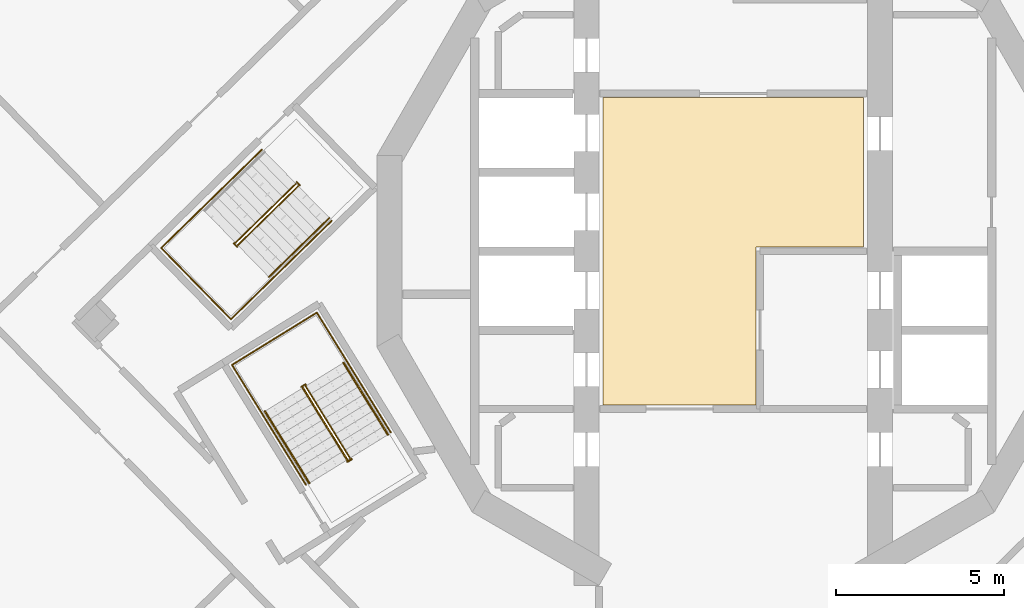
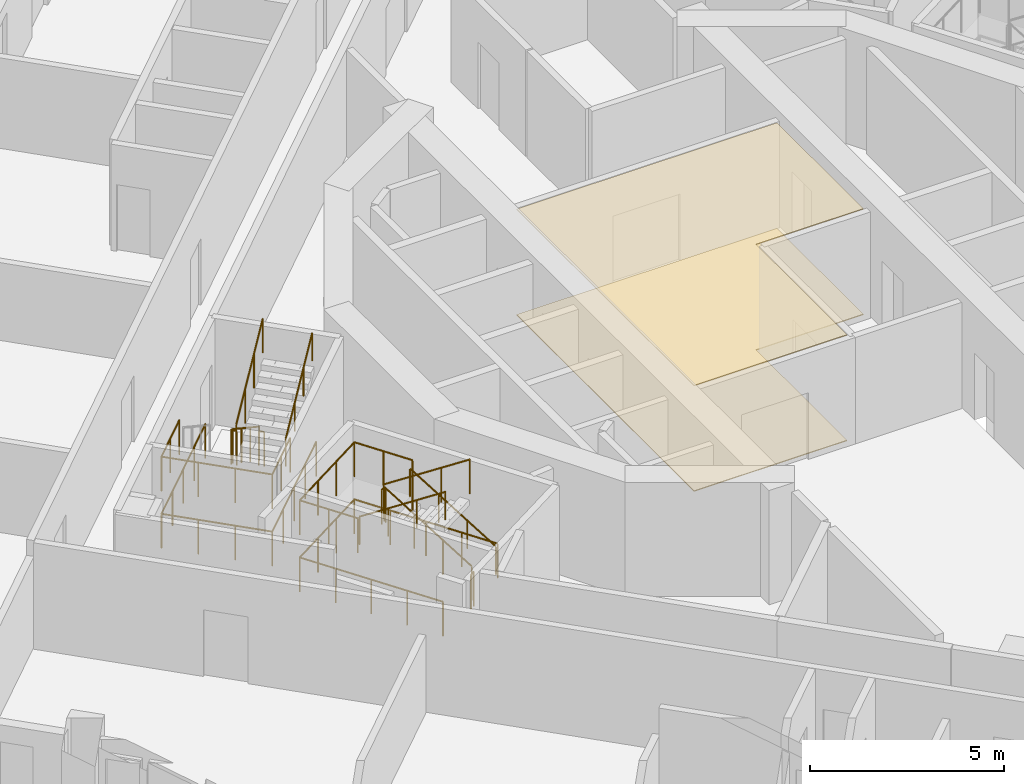
# One storey, part 12 of 17: 13 railings, 2 coverings.
"""IFC4 building model written with IfcOpenShell, lengths in metres."""

from ifc_helpers import new_model, si_unit, direction, frame, origin, origin_2d, place, context, subcontext, project, spatial, polyline, circle, outline, extrude, material, layer, layer_set, type_object, element, save


model = new_model("IFC4")

# Units and contexts
model_context = context("Model", 3, precision=1e-05, world=origin(), true_north=direction((0.0, 1.0)))
body_context = subcontext(model_context, "Body", "Model", "MODEL_VIEW")
ifc_project = project(units=[si_unit("LENGTHUNIT", "METRE"), si_unit("AREAUNIT", "SQUARE_METRE"), si_unit("VOLUMEUNIT", "CUBIC_METRE"), si_unit("PLANEANGLEUNIT", "RADIAN"), si_unit("MASSUNIT", "GRAM", prefix="KILO")], contexts=[model_context])

# Site, building, storey
site_placement = place(None, origin())
site = spatial("IfcSite", under=ifc_project, at=site_placement, CompositionType="ELEMENT")
building_placement = place(site_placement, origin())
building = spatial("IfcBuilding", under=site, at=building_placement, Name="Cantera Rosa Tower", CompositionType="ELEMENT")
storey_placement = place(building_placement, frame((0.0, 0.0, 205.39990234375)))
storey = spatial("IfcBuildingStorey", under=building, at=storey_placement, Name="L43", CompositionType="ELEMENT", Elevation=205.39990234375)

# Railings
ifc_material_1 = material(Name="Steel S355J2 (EN 10025-2)", Category="steel")
railing_type_1 = type_object("IfcRailingType", Name="STAIR GUARD 1100", PredefinedType="GUARDRAIL", material=ifc_material_1)
railing_1_placement = place(storey_placement, frame((-13.032958984375, 2.013427734375, 0.18017578125)))
element("IfcRailing", 1, at=railing_1_placement, inside=storey, type_object=railing_type_1, Name="L43 ST-43 stair guard 1", PredefinedType="GUARDRAIL", context=body_context, shape_type="SweptSolid", body=[
    extrude(circle(Radius=0.02392578125, at=origin_2d()), frame((0.0, 0.0, 1.076171875), z_axis=(-0.60169873645, -0.587844099419, 0.540738333515), x_axis=(0.698823692472, -0.715293958342, 0.0)), (0.0, 0.0, 1.0), 2.99560546875),
    extrude(circle(Radius=0.02392578125, at=origin_2d()), frame((-1.802490234375, -1.760986328125, 2.69580078125), z_axis=(-0.956987977523, -0.290127576896, 0.0), x_axis=(0.290127576896, -0.956987977523, 0.0)), (0.0, 0.0, 1.0), 0.056396484375),
    extrude(circle(Radius=0.02392578125, at=origin_2d()), frame((-1.8564453125, -1.77734375, 2.69580078125), z_axis=(0.698932947801, -0.715187202401, 0.0), x_axis=(0.715187202401, 0.698932947801, 0.0)), (0.0, 0.0, 1.0), 0.150146484375),
    extrude(circle(Radius=0.02099609375, at=origin_2d()), origin(), (0.0, 0.0, 1.0), 1.052001953125),
    extrude(circle(Radius=0.02099609375, at=origin_2d()), frame((-0.600830078125, -0.5869140625, 0.5400390625)), (0.0, 0.0, 1.0), 1.052001953125),
    extrude(circle(Radius=0.02099609375, at=origin_2d()), frame((-1.20166015625, -1.174072265625, 1.079833984375)), (0.0, 0.0, 1.0), 1.052001953125),
    extrude(circle(Radius=0.02099609375, at=origin_2d()), frame((-1.802490234375, -1.760986328125, 1.619873046875)), (0.0, 0.0, 1.0), 1.052001953125),
    extrude(circle(Radius=0.02099609375, at=origin_2d()), frame((-1.8564453125, -1.77734375, 1.619873046875)), (0.0, 0.0, 1.0), 1.052001953125),
    extrude(circle(Radius=0.02099609375, at=origin_2d()), frame((-1.75146484375, -1.884765625, 1.619873046875)), (0.0, 0.0, 1.0), 1.052001953125),
])
railing_2_placement = place(storey_placement, frame((-14.766845703125, 0.182373046875, 1.97998046875)))
element("IfcRailing", 2, at=railing_2_placement, inside=storey, type_object=railing_type_1, Name="L43 ST-43 stair guard 2", PredefinedType="GUARDRAIL", context=body_context, shape_type="SweptSolid", body=[
    extrude(circle(Radius=0.02392578125, at=origin_2d()), frame((0.0, 0.0, 1.076171875), z_axis=(0.601672219931, 0.587818193466, 0.54079599776), x_axis=(-0.698823692472, 0.715293958342, 0.0)), (0.0, 0.0, 1.0), 2.995849609375),
    extrude(circle(Radius=0.02099609375, at=origin_2d()), origin(), (0.0, 0.0, 1.0), 1.052001953125),
    extrude(circle(Radius=0.02099609375, at=origin_2d()), frame((0.600830078125, 0.5869140625, 0.5400390625)), (0.0, 0.0, 1.0), 1.052001953125),
    extrude(circle(Radius=0.02099609375, at=origin_2d()), frame((1.20166015625, 1.174072265625, 1.080078125)), (0.0, 0.0, 1.0), 1.052001953125),
    extrude(circle(Radius=0.02099609375, at=origin_2d()), frame((1.802490234375, 1.760986328125, 1.6201171875)), (0.0, 0.0, 1.0), 1.052001953125),
])
railing_3_placement = place(storey_placement, frame((-13.01513671875, 2.06689453125, 0.0)))
element("IfcRailing", 3, at=railing_3_placement, inside=storey, type_object=railing_type_1, Name="L43 ST-43 stair guard 3", PredefinedType="GUARDRAIL", context=body_context, shape_type="SweptSolid", body=[
    extrude(circle(Radius=0.02392578125, at=origin_2d()), frame((0.0, 0.0, 1.076171875), z_axis=(0.698914008722, -0.715205710557, 0.0), x_axis=(0.715205710557, 0.698914008722, 0.0)), (0.0, 0.0, 1.0), 0.14990234375),
    extrude(circle(Radius=0.02099609375, at=origin_2d()), origin(), (0.0, 0.0, 1.0), 1.052001953125),
    extrude(circle(Radius=0.02099609375, at=origin_2d()), frame((0.104736328125, -0.107177734375, 0.0)), (0.0, 0.0, 1.0), 1.052001953125),
])
railing_4_placement = place(storey_placement, frame((-14.044921875, 3.0322265625, 0.0)))
element("IfcRailing", 4, at=railing_4_placement, inside=storey, type_object=railing_type_1, Name="L43 ST-43 stair guard 4", PredefinedType="GUARDRAIL", context=body_context, shape_type="SweptSolid", body=[
    extrude(circle(Radius=0.02392578125, at=origin_2d()), frame((0.0, 0.0, 1.076171875), z_axis=(-0.715259213566, -0.698859254364, 0.0), x_axis=(0.698859254364, -0.715259213566, 0.0)), (0.0, 0.0, 1.0), 4.197998046875),
    extrude(circle(Radius=0.02392578125, at=origin_2d()), frame((-3.002685546875, -2.933837890625, 1.076171875), z_axis=(0.698838333505, -0.715279654138, 0.0), x_axis=(0.715279654138, 0.698838333505, 0.0)), (0.0, 0.0, 1.0), 2.9697265625),
    extrude(circle(Radius=0.02392578125, at=origin_2d()), frame((-0.92724609375, -5.05810546875, 1.076171875), z_axis=(0.715288284249, 0.698829500247, 0.0), x_axis=(-0.698829500247, 0.715288284249, 0.0)), (0.0, 0.0, 1.0), 4.19775390625),
    extrude(circle(Radius=0.02099609375, at=origin_2d()), origin(), (0.0, 0.0, 1.0), 1.052001953125),
    extrude(circle(Radius=0.02099609375, at=origin_2d()), frame((-0.750732421875, -0.7333984375, 0.0)), (0.0, 0.0, 1.0), 1.052001953125),
    extrude(circle(Radius=0.02099609375, at=origin_2d()), frame((-1.50146484375, -1.466796875, 0.0)), (0.0, 0.0, 1.0), 1.052001953125),
    extrude(circle(Radius=0.02099609375, at=origin_2d()), frame((-2.251953125, -2.200439453125, 0.0)), (0.0, 0.0, 1.0), 1.052001953125),
    extrude(circle(Radius=0.02099609375, at=origin_2d()), frame((-3.002685546875, -2.933837890625, 0.0)), (0.0, 0.0, 1.0), 1.052001953125),
    extrude(circle(Radius=0.02099609375, at=origin_2d()), frame((-2.310791015625, -3.641845703125, 0.0)), (0.0, 0.0, 1.0), 1.052001953125),
    extrude(circle(Radius=0.02099609375, at=origin_2d()), frame((-1.619140625, -4.35009765625, 0.0)), (0.0, 0.0, 1.0), 1.052001953125),
    extrude(circle(Radius=0.02099609375, at=origin_2d()), frame((-0.92724609375, -5.05810546875, 0.0)), (0.0, 0.0, 1.0), 1.052001953125),
    extrude(circle(Radius=0.02099609375, at=origin_2d()), frame((-0.176513671875, -4.32470703125, 0.0)), (0.0, 0.0, 1.0), 1.052001953125),
    extrude(circle(Radius=0.02099609375, at=origin_2d()), frame((0.57421875, -3.59130859375, 0.0)), (0.0, 0.0, 1.0), 1.052001953125),
    extrude(circle(Radius=0.02099609375, at=origin_2d()), frame((1.32470703125, -2.85791015625, 0.0)), (0.0, 0.0, 1.0), 1.052001953125),
    extrude(circle(Radius=0.02099609375, at=origin_2d()), frame((2.075439453125, -2.12451171875, 0.0)), (0.0, 0.0, 1.0), 1.052001953125),
])
railing_5_placement = place(storey_placement, frame((-15.830322265625, 1.287841796875, 1.800048828125)))
element("IfcRailing", 5, at=railing_5_placement, inside=storey, type_object=railing_type_1, Name="L43 ST-43 stair guard 5", PredefinedType="GUARDRAIL", context=body_context, shape_type="SweptSolid", body=[
    extrude(circle(Radius=0.02392578125, at=origin_2d()), frame((0.0, 0.0, 1.076171875), z_axis=(-0.715236090757, -0.698882919007, 0.0), x_axis=(0.698882919007, -0.715236090757, 0.0)), (0.0, 0.0, 1.0), 1.701904296875),
    extrude(circle(Radius=0.02392578125, at=origin_2d()), frame((-1.21728515625, -1.189453125, 1.076171875), z_axis=(0.698838333505, -0.715279654138, 0.0), x_axis=(0.715279654138, 0.698838333505, 0.0)), (0.0, 0.0, 1.0), 2.9697265625),
    extrude(circle(Radius=0.02392578125, at=origin_2d()), frame((0.858154296875, -3.313720703125, 1.076171875), z_axis=(0.715236090757, 0.698882919007, 0.0), x_axis=(-0.698882919007, 0.715236090757, 0.0)), (0.0, 0.0, 1.0), 1.701904296875),
    extrude(circle(Radius=0.02099609375, at=origin_2d()), origin(), (0.0, 0.0, 1.0), 1.052001953125),
    extrude(circle(Radius=0.02099609375, at=origin_2d()), frame((-0.608642578125, -0.5947265625, 0.0)), (0.0, 0.0, 1.0), 1.052001953125),
    extrude(circle(Radius=0.02099609375, at=origin_2d()), frame((-1.21728515625, -1.189453125, 0.0)), (0.0, 0.0, 1.0), 1.052001953125),
    extrude(circle(Radius=0.02099609375, at=origin_2d()), frame((-0.525390625, -1.8974609375, 0.0)), (0.0, 0.0, 1.0), 1.052001953125),
    extrude(circle(Radius=0.02099609375, at=origin_2d()), frame((0.166259765625, -2.605712890625, 0.0)), (0.0, 0.0, 1.0), 1.052001953125),
    extrude(circle(Radius=0.02099609375, at=origin_2d()), frame((0.858154296875, -3.313720703125, 0.0)), (0.0, 0.0, 1.0), 1.052001953125),
    extrude(circle(Radius=0.02099609375, at=origin_2d()), frame((1.466796875, -2.718994140625, 0.0)), (0.0, 0.0, 1.0), 1.052001953125),
    extrude(circle(Radius=0.02099609375, at=origin_2d()), frame((2.075439453125, -2.124267578125, 0.0)), (0.0, 0.0, 1.0), 1.052001953125),
])
railing_6_placement = place(storey_placement, frame((-11.42333984375, -6.165771484375, 0.18017578125)))
element("IfcRailing", 6, at=railing_6_placement, inside=storey, type_object=railing_type_1, Name="L43 ST-44 stair guard 1", PredefinedType="GUARDRAIL", context=body_context, shape_type="SweptSolid", body=[
    extrude(circle(Radius=0.02392578125, at=origin_2d()), frame((0.0, 0.0, 1.076171875), z_axis=(-0.441628529057, 0.715945124149, 0.540728047664), x_axis=(-0.851102330005, -0.524999832248, 0.0)), (0.0, 0.0, 1.0), 2.99560546875),
    extrude(circle(Radius=0.02392578125, at=origin_2d()), frame((-1.322998046875, 2.144775390625, 2.69580078125), z_axis=(-0.073711968402, 0.997279572494, 0.0), x_axis=(-0.997279572494, -0.073711968402, 0.0)), (0.0, 0.0, 1.0), 0.056396484375),
    extrude(circle(Radius=0.02392578125, at=origin_2d()), frame((-1.3271484375, 2.200927734375, 2.69580078125), z_axis=(-0.851546489876, -0.524279100842, 0.0), x_axis=(0.524279100842, -0.851546489876, 0.0)), (0.0, 0.0, 1.0), 0.14990234375),
    extrude(circle(Radius=0.02099609375, at=origin_2d()), origin(), (0.0, 0.0, 1.0), 1.052001953125),
    extrude(circle(Radius=0.02099609375, at=origin_2d()), frame((-0.44091796875, 0.71484375, 0.5400390625)), (0.0, 0.0, 1.0), 1.052001953125),
    extrude(circle(Radius=0.02099609375, at=origin_2d()), frame((-0.882080078125, 1.429931640625, 1.079833984375)), (0.0, 0.0, 1.0), 1.052001953125),
    extrude(circle(Radius=0.02099609375, at=origin_2d()), frame((-1.322998046875, 2.144775390625, 1.619873046875)), (0.0, 0.0, 1.0), 1.052001953125),
    extrude(circle(Radius=0.02099609375, at=origin_2d()), frame((-1.3271484375, 2.200927734375, 1.619873046875)), (0.0, 0.0, 1.0), 1.052001953125),
    extrude(circle(Radius=0.02099609375, at=origin_2d()), frame((-1.454833984375, 2.122314453125, 1.619873046875)), (0.0, 0.0, 1.0), 1.052001953125),
])
railing_7_placement = place(storey_placement, frame((-12.82958984375, -4.072509765625, 1.97998046875)))
element("IfcRailing", 7, at=railing_7_placement, inside=storey, type_object=railing_type_1, Name="L43 ST-44 stair guard 2", PredefinedType="GUARDRAIL", context=body_context, shape_type="SweptSolid", body=[
    extrude(circle(Radius=0.02392578125, at=origin_2d()), frame((0.0, 0.0, 1.076171875), z_axis=(0.44154346381, -0.715939337315, 0.540805172729), x_axis=(0.851145618652, 0.524929648476, 0.0)), (0.0, 0.0, 1.0), 2.995849609375),
    extrude(circle(Radius=0.02099609375, at=origin_2d()), origin(), (0.0, 0.0, 1.0), 1.052001953125),
    extrude(circle(Radius=0.02099609375, at=origin_2d()), frame((0.44091796875, -0.71484375, 0.5400390625)), (0.0, 0.0, 1.0), 1.052001953125),
    extrude(circle(Radius=0.02099609375, at=origin_2d()), frame((0.8818359375, -1.429931640625, 1.080078125)), (0.0, 0.0, 1.0), 1.052001953125),
    extrude(circle(Radius=0.02099609375, at=origin_2d()), frame((1.32275390625, -2.144775390625, 1.6201171875)), (0.0, 0.0, 1.0), 1.052001953125),
])
railing_8_placement = place(storey_placement, frame((-11.375, -6.19482421875, 0.0)))
element("IfcRailing", 8, at=railing_8_placement, inside=storey, type_object=railing_type_1, Name="L43 ST-44 stair guard 3", PredefinedType="GUARDRAIL", context=body_context, shape_type="SweptSolid", body=[
    extrude(circle(Radius=0.02392578125, at=origin_2d()), frame((0.0, 0.0, 1.076171875), z_axis=(-0.851546489876, -0.524279100842, 0.0), x_axis=(0.524279100842, -0.851546489876, 0.0)), (0.0, 0.0, 1.0), 0.14990234375),
    extrude(circle(Radius=0.02099609375, at=origin_2d()), origin(), (0.0, 0.0, 1.0), 1.052001953125),
    extrude(circle(Radius=0.02099609375, at=origin_2d()), frame((-0.127685546875, -0.07861328125, 0.0)), (0.0, 0.0, 1.0), 1.052001953125),
])
railing_9_placement = place(storey_placement, frame((-10.20751953125, -5.40185546875, 0.0)))
element("IfcRailing", 9, at=railing_9_placement, inside=storey, type_object=railing_type_1, Name="L43 ST-44 stair guard 4", PredefinedType="GUARDRAIL", context=body_context, shape_type="SweptSolid", body=[
    extrude(circle(Radius=0.02392578125, at=origin_2d()), frame((0.0, 0.0, 1.076171875), z_axis=(-0.524976478809, 0.851116735059, 0.0), x_axis=(-0.851116735059, -0.524976478809, 0.0)), (0.0, 0.0, 1.0), 4.197998046875),
    extrude(circle(Radius=0.02392578125, at=origin_2d()), frame((-2.203857421875, 3.572998046875, 1.076171875), z_axis=(-0.851132917336, -0.524950242429, 0.0), x_axis=(0.524950242429, -0.851132917336, 0.0)), (0.0, 0.0, 1.0), 2.969970703125),
    extrude(circle(Radius=0.02392578125, at=origin_2d()), frame((-4.731689453125, 2.013916015625, 1.076171875), z_axis=(0.524976478809, -0.851116735059, 0.0), x_axis=(0.851116735059, 0.524976478809, 0.0)), (0.0, 0.0, 1.0), 4.197998046875),
    extrude(circle(Radius=0.02099609375, at=origin_2d()), origin(), (0.0, 0.0, 1.0), 1.052001953125),
    extrude(circle(Radius=0.02099609375, at=origin_2d()), frame((-0.551025390625, 0.893310546875, 0.0)), (0.0, 0.0, 1.0), 1.052001953125),
    extrude(circle(Radius=0.02099609375, at=origin_2d()), frame((-1.10205078125, 1.78662109375, 0.0)), (0.0, 0.0, 1.0), 1.052001953125),
    extrude(circle(Radius=0.02099609375, at=origin_2d()), frame((-1.65283203125, 2.6796875, 0.0)), (0.0, 0.0, 1.0), 1.052001953125),
    extrude(circle(Radius=0.02099609375, at=origin_2d()), frame((-2.203857421875, 3.572998046875, 0.0)), (0.0, 0.0, 1.0), 1.052001953125),
    extrude(circle(Radius=0.02099609375, at=origin_2d()), frame((-3.04638671875, 3.05322265625, 0.0)), (0.0, 0.0, 1.0), 1.052001953125),
    extrude(circle(Radius=0.02099609375, at=origin_2d()), frame((-3.88916015625, 2.53369140625, 0.0)), (0.0, 0.0, 1.0), 1.052001953125),
    extrude(circle(Radius=0.02099609375, at=origin_2d()), frame((-4.731689453125, 2.013916015625, 0.0)), (0.0, 0.0, 1.0), 1.052001953125),
    extrude(circle(Radius=0.02099609375, at=origin_2d()), frame((-4.1806640625, 1.12060546875, 0.0)), (0.0, 0.0, 1.0), 1.052001953125),
    extrude(circle(Radius=0.02099609375, at=origin_2d()), frame((-3.6298828125, 0.2275390625, 0.0)), (0.0, 0.0, 1.0), 1.052001953125),
    extrude(circle(Radius=0.02099609375, at=origin_2d()), frame((-3.078857421875, -0.665771484375, 0.0)), (0.0, 0.0, 1.0), 1.052001953125),
    extrude(circle(Radius=0.02099609375, at=origin_2d()), frame((-2.52783203125, -1.55908203125, 0.0)), (0.0, 0.0, 1.0), 1.052001953125),
])
railing_10_placement = place(storey_placement, frame((-11.517822265625, -3.27734375, 1.800048828125)))
element("IfcRailing", 10, at=railing_10_placement, inside=storey, type_object=railing_type_1, Name="L43 ST-44 stair guard 5", PredefinedType="GUARDRAIL", context=body_context, shape_type="SweptSolid", body=[
    extrude(circle(Radius=0.02392578125, at=origin_2d()), frame((0.0, 0.0, 1.076171875), z_axis=(-0.525025534833, 0.851086474909, 0.0), x_axis=(-0.851086474909, -0.525025534833, 0.0)), (0.0, 0.0, 1.0), 1.701904296875),
    extrude(circle(Radius=0.02392578125, at=origin_2d()), frame((-0.8935546875, 1.448486328125, 1.076171875), z_axis=(-0.851132917336, -0.524950242429, 0.0), x_axis=(0.524950242429, -0.851132917336, 0.0)), (0.0, 0.0, 1.0), 2.969970703125),
    extrude(circle(Radius=0.02392578125, at=origin_2d()), frame((-3.42138671875, -0.110595703125, 1.076171875), z_axis=(0.524961441845, -0.851126009811, 0.0), x_axis=(0.851126009811, 0.524961441845, 0.0)), (0.0, 0.0, 1.0), 1.7021484375),
    extrude(circle(Radius=0.02099609375, at=origin_2d()), origin(), (0.0, 0.0, 1.0), 1.052001953125),
    extrude(circle(Radius=0.02099609375, at=origin_2d()), frame((-0.44677734375, 0.72412109375, 0.0)), (0.0, 0.0, 1.0), 1.052001953125),
    extrude(circle(Radius=0.02099609375, at=origin_2d()), frame((-0.8935546875, 1.448486328125, 0.0)), (0.0, 0.0, 1.0), 1.052001953125),
    extrude(circle(Radius=0.02099609375, at=origin_2d()), frame((-1.736083984375, 0.9287109375, 0.0)), (0.0, 0.0, 1.0), 1.052001953125),
    extrude(circle(Radius=0.02099609375, at=origin_2d()), frame((-2.578857421875, 0.4091796875, 0.0)), (0.0, 0.0, 1.0), 1.052001953125),
    extrude(circle(Radius=0.02099609375, at=origin_2d()), frame((-3.42138671875, -0.110595703125, 0.0)), (0.0, 0.0, 1.0), 1.052001953125),
    extrude(circle(Radius=0.02099609375, at=origin_2d()), frame((-2.974609375, -0.8349609375, 0.0)), (0.0, 0.0, 1.0), 1.052001953125),
    extrude(circle(Radius=0.02099609375, at=origin_2d()), frame((-2.52783203125, -1.559326171875, 0.0)), (0.0, 0.0, 1.0), 1.052001953125),
])
ifc_material_2 = material(Name="Steel S355J2 (EN 10025-2)", Category="steel")
railing_type_2 = type_object("IfcRailingType", Name="STAIR HANDRAIL 900", PredefinedType="HANDRAIL", material=ifc_material_2)
railing_11_placement = place(storey_placement, frame((-13.84033203125, -0.76611328125, 1.97998046875)))
element("IfcRailing", 11, at=railing_11_placement, inside=storey, type_object=railing_type_2, Name="L43 ST-43 stair handrail 2", PredefinedType="HANDRAIL", context=body_context, shape_type="SweptSolid", body=[
    extrude(circle(Radius=0.02392578125, at=origin_2d()), frame((0.0, 0.0, 0.8759765625), z_axis=(0.601724208683, 0.587789371239, 0.540769481151), x_axis=(-0.698775265409, 0.715341267126, 0.0)), (0.0, 0.0, 1.0), 2.995849609375),
    extrude(circle(Radius=0.02099609375, at=origin_2d()), origin(), (0.0, 0.0, 1.0), 0.851806640625),
    extrude(circle(Radius=0.02099609375, at=origin_2d()), frame((0.600830078125, 0.5869140625, 0.5400390625)), (0.0, 0.0, 1.0), 0.851806640625),
    extrude(circle(Radius=0.02099609375, at=origin_2d()), frame((1.201904296875, 1.174072265625, 1.080078125)), (0.0, 0.0, 1.0), 0.851806640625),
    extrude(circle(Radius=0.02099609375, at=origin_2d()), frame((1.802734375, 1.760986328125, 1.6201171875)), (0.0, 0.0, 1.0), 0.851806640625),
])
railing_12_placement = place(storey_placement, frame((-10.294677734375, -5.4697265625, 0.18017578125)))
element("IfcRailing", 12, at=railing_12_placement, inside=storey, type_object=railing_type_2, Name="L43 ST-44 stair handrail 1", PredefinedType="HANDRAIL", context=body_context, shape_type="SweptSolid", body=[
    extrude(circle(Radius=0.02392578125, at=origin_2d()), frame((0.0, 0.0, 0.8759765625), z_axis=(-0.441628529057, 0.715945124149, 0.540728047664), x_axis=(-0.851102330005, -0.524999832248, 0.0)), (0.0, 0.0, 1.0), 2.99560546875),
    extrude(circle(Radius=0.02099609375, at=origin_2d()), origin(), (0.0, 0.0, 1.0), 0.851806640625),
    extrude(circle(Radius=0.02099609375, at=origin_2d()), frame((-0.44091796875, 0.71484375, 0.5400390625)), (0.0, 0.0, 1.0), 0.851806640625),
    extrude(circle(Radius=0.02099609375, at=origin_2d()), frame((-0.882080078125, 1.429931640625, 1.079833984375)), (0.0, 0.0, 1.0), 0.851806640625),
    extrude(circle(Radius=0.02099609375, at=origin_2d()), frame((-1.322998046875, 2.144775390625, 1.619873046875)), (0.0, 0.0, 1.0), 0.851806640625),
])
railing_13_placement = place(storey_placement, frame((-13.958251953125, -4.7685546875, 1.97998046875)))
element("IfcRailing", 13, at=railing_13_placement, inside=storey, type_object=railing_type_2, Name="L43 ST-44 stair handrail 2", PredefinedType="HANDRAIL", context=body_context, shape_type="SweptSolid", body=[
    extrude(circle(Radius=0.02392578125, at=origin_2d()), frame((0.0, 0.0, 0.8759765625), z_axis=(0.441609067481, -0.715913574058, 0.540785711718), x_axis=(0.851102330005, 0.524999832248, 0.0)), (0.0, 0.0, 1.0), 2.995849609375),
    extrude(circle(Radius=0.02099609375, at=origin_2d()), origin(), (0.0, 0.0, 1.0), 0.851806640625),
    extrude(circle(Radius=0.02099609375, at=origin_2d()), frame((0.44091796875, -0.71484375, 0.5400390625)), (0.0, 0.0, 1.0), 0.851806640625),
    extrude(circle(Radius=0.02099609375, at=origin_2d()), frame((0.882080078125, -1.429931640625, 1.080078125)), (0.0, 0.0, 1.0), 0.851806640625),
    extrude(circle(Radius=0.02099609375, at=origin_2d()), frame((1.322998046875, -2.144775390625, 1.6201171875)), (0.0, 0.0, 1.0), 0.851806640625),
])

# Coverings
ifc_material_3 = material(Name="Limestone paving", Category="masonry")
ifc_layer_1 = layer(ifc_material_3, 0.02490234375)
ifc_layer_set_1 = layer_set([ifc_layer_1], Name="STONE FLOOR FINISH 25")
covering_type_1 = type_object("IfcCoveringType", Name="STONE FLOOR FINISH 25", PredefinedType="FLOORING", material=ifc_layer_set_1)
covering_1_placement = place(storey_placement, origin())
element("IfcCovering", 14, at=covering_1_placement, inside=storey, type_object=covering_type_1, Name="STONE FLOOR FINISH L43", PredefinedType="FLOORING", context=body_context, shape_type="SweptSolid", body=[
    extrude(outline(polyline([(3.8798828125, 4.580078125), (3.8798828125, 0.1201171875), (0.679931640625, 0.1201171875), (0.679931640625, -4.580078125), (-3.8798828125, -4.580078125), (-3.8798828125, 4.580078125), (3.8798828125, 4.580078125)])), origin(), (0.0, 0.0, 1.0), 0.025146484375),
])
ifc_material_4 = material(Name="Gypsum ceiling tile")
ifc_layer_2 = layer(ifc_material_4, 0.030029296875)
ifc_layer_set_2 = layer_set([ifc_layer_2], Name="SUSPENDED CEILING 30")
covering_type_2 = type_object("IfcCoveringType", Name="SUSPENDED CEILING 30", PredefinedType="CEILING", material=ifc_layer_set_2)
covering_2_placement = place(storey_placement, frame((0.0, 0.0, 3.320068359375)))
element("IfcCovering", 15, at=covering_2_placement, inside=storey, type_object=covering_type_2, Name="SUSPENDED CEILING L43", PredefinedType="CEILING", context=body_context, shape_type="SweptSolid", body=[
    extrude(outline(polyline([(3.8798828125, 4.580078125), (3.8798828125, 0.1201171875), (0.679931640625, 0.1201171875), (0.679931640625, -4.580078125), (-3.8798828125, -4.580078125), (-3.8798828125, 4.580078125), (3.8798828125, 4.580078125)])), origin(), (0.0, 0.0, 1.0), 0.030029296875),
])

save(model, "model.ifc")
